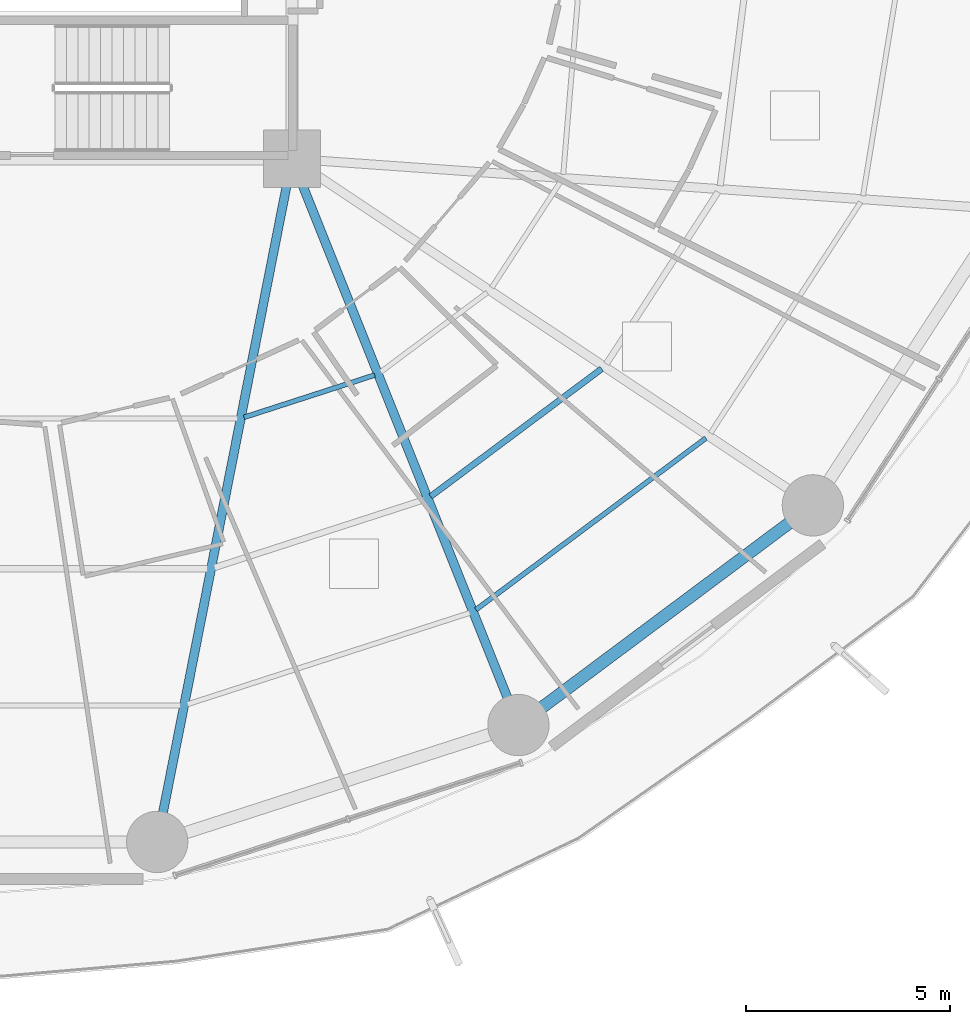
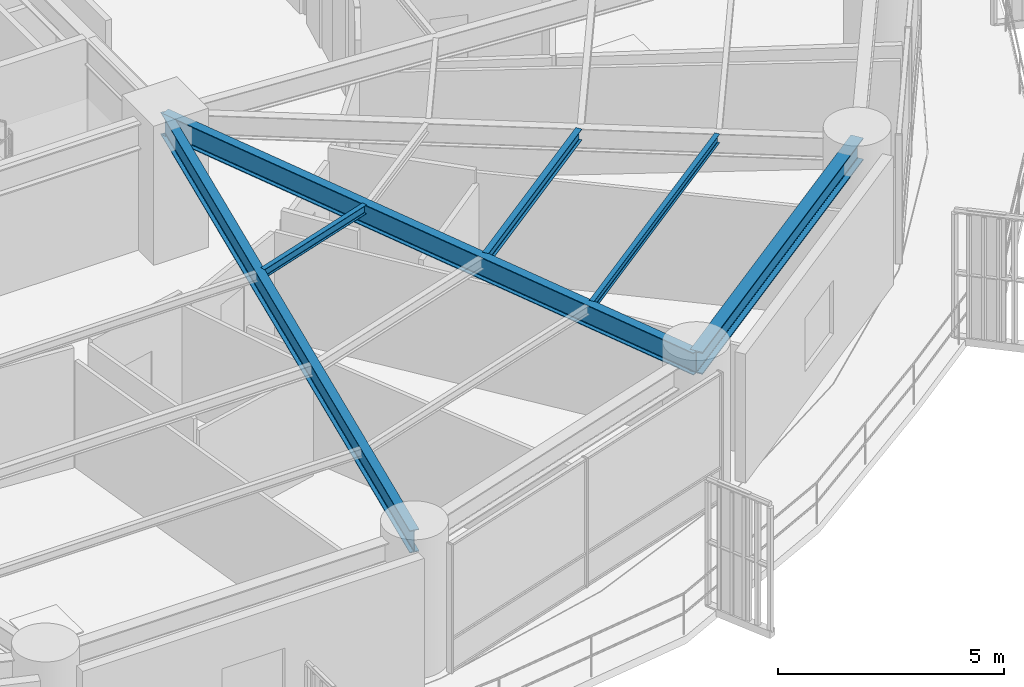
# One storey, part 9 of 32: 6 beams.
"""IFC4 building model written with IfcOpenShell, lengths in metres."""

from ifc_helpers import new_model, si_unit, direction, frame, origin, origin_2d, place, context, subcontext, project, spatial, i_section, extrude, material, material_profile, profile_set, type_object, element, save


model = new_model("IFC4")

# Units and contexts
model_context = context("Model", 3, precision=1e-05, world=origin(), true_north=direction((0.0, 1.0)))
body_context = subcontext(model_context, "Body", "Model", "MODEL_VIEW")
ifc_project = project(units=[si_unit("LENGTHUNIT", "METRE"), si_unit("AREAUNIT", "SQUARE_METRE"), si_unit("VOLUMEUNIT", "CUBIC_METRE"), si_unit("PLANEANGLEUNIT", "RADIAN"), si_unit("MASSUNIT", "GRAM", prefix="KILO")], contexts=[model_context])

# Site, building, storey
site_placement = place(None, origin())
site = spatial("IfcSite", under=ifc_project, at=site_placement, CompositionType="ELEMENT")
building_placement = place(site_placement, origin())
building = spatial("IfcBuilding", under=site, at=building_placement, Name="Kelanora Arch Commons", CompositionType="ELEMENT")
storey_placement = place(building_placement, frame((0.0, 0.0, 56.25)))
storey = spatial("IfcBuildingStorey", under=building, at=storey_placement, Name="L14", CompositionType="ELEMENT", Elevation=56.25)

# Beams
ifc_material = material(Name="Steel S355", Category="steel")
ifc_material_profile_1 = material_profile(ifc_material, i_section(OverallWidth=0.14990234375, OverallDepth=0.300048828125, WebThickness=0.007080078125, FlangeThickness=0.0107421875, FilletRadius=0.014892578125, at=origin_2d()), Name="IPE300")
ifc_profile_set_1 = profile_set([ifc_material_profile_1], Name="Steel S355")
beam_type_1 = type_object("IfcBeamType", Name="BM-JST-01", PredefinedType="JOIST", material=ifc_profile_set_1)
beam_1_placement = place(storey_placement, frame((85.39208984375, 42.738525390625, 3.340087890625), z_axis=(0.801478251559, 0.598023922831, 0.0), x_axis=(-0.598023922831, 0.801478251559, 0.0)))
element("IfcBeam", 1, at=beam_1_placement, inside=storey, type_object=beam_type_1, Name="Secondary Chord Joist BJB-30 L14", PredefinedType="JOIST", context=body_context, shape_type="SweptSolid", body=[
    extrude(i_section(OverallWidth=0.14990234375, OverallDepth=0.300048828125, WebThickness=0.007080078125, FlangeThickness=0.0107421875, FilletRadius=0.014892578125, at=origin_2d()), origin(), (0.0, 0.0, 1.0), 5.223388671875),
])
ifc_material_profile_2 = material_profile(ifc_material, i_section(OverallWidth=0.1201171875, OverallDepth=0.239990234375, WebThickness=0.006103515625, FlangeThickness=0.009765625, FilletRadius=0.014892578125, at=origin_2d()), Name="IPE240")
ifc_profile_set_2 = profile_set([ifc_material_profile_2], Name="Steel S355")
beam_type_2 = type_object("IfcBeamType", Name="BM-JST-02", PredefinedType="JOIST", material=ifc_profile_set_2)
beam_2_placement = place(storey_placement, frame((80.827880859375, 44.6748046875, 3.3701171875), z_axis=(0.951422608074, 0.30788800049, 0.0), x_axis=(-0.30788800049, 0.951422608074, 0.0)))
element("IfcBeam", 2, at=beam_2_placement, inside=storey, type_object=beam_type_2, Name="Secondary Chord Joist BJA-28 L14", PredefinedType="JOIST", context=body_context, shape_type="SweptSolid", body=[
    extrude(i_section(OverallWidth=0.1201171875, OverallDepth=0.239990234375, WebThickness=0.006103515625, FlangeThickness=0.009765625, FilletRadius=0.014892578125, at=origin_2d()), origin(), (0.0, 0.0, 1.0), 3.359619140625),
])
beam_3_placement = place(storey_placement, frame((86.5, 39.9677734375, 3.3701171875), z_axis=(0.80149131963, 0.598006408459, 0.0), x_axis=(-0.598006408459, 0.80149131963, 0.0)))
element("IfcBeam", 3, at=beam_3_placement, inside=storey, type_object=beam_type_2, Name="Secondary Chord Joist BJC-30 L14", PredefinedType="JOIST", context=body_context, shape_type="SweptSolid", body=[
    extrude(i_section(OverallWidth=0.1201171875, OverallDepth=0.239990234375, WebThickness=0.006103515625, FlangeThickness=0.009765625, FilletRadius=0.014892578125, at=origin_2d()), origin(), (0.0, 0.0, 1.0), 7.021240234375),
])
ifc_material_profile_3 = material_profile(ifc_material, i_section(OverallWidth=0.219970703125, OverallDepth=0.60009765625, WebThickness=0.011962890625, FlangeThickness=0.01904296875, FilletRadius=0.02392578125, at=origin_2d()), Name="IPE600")
ifc_profile_set_3 = profile_set([ifc_material_profile_3], Name="Steel S355")
beam_type_3 = type_object("IfcBeamType", Name="BM-RAD-Z1", PredefinedType="BEAM", material=ifc_profile_set_3)
beam_4_placement = place(storey_placement, frame((82.0, 51.0, 3.18994140625), z_axis=(-0.19356352044, -0.981087745084, 0.0), x_axis=(0.981087745084, -0.19356352044, 0.0)))
element("IfcBeam", 4, at=beam_4_placement, inside=storey, type_object=beam_type_3, Name="Radial Floor Girder BR-28 L14", PredefinedType="BEAM", context=body_context, shape_type="SweptSolid", body=[
    extrude(i_section(OverallWidth=0.219970703125, OverallDepth=0.60009765625, WebThickness=0.011962890625, FlangeThickness=0.01904296875, FilletRadius=0.02392578125, at=origin_2d()), origin(), (0.0, 0.0, 1.0), 17.036376953125),
])
beam_5_placement = place(storey_placement, frame((82.0, 51.0, 3.18994140625), z_axis=(0.371300398117, -0.928512797089, 0.0), x_axis=(0.928512797089, 0.371300398117, 0.0)))
element("IfcBeam", 5, at=beam_5_placement, inside=storey, type_object=beam_type_3, Name="Radial Floor Girder BR-30 L14", PredefinedType="BEAM", context=body_context, shape_type="SweptSolid", body=[
    extrude(i_section(OverallWidth=0.219970703125, OverallDepth=0.60009765625, WebThickness=0.011962890625, FlangeThickness=0.01904296875, FilletRadius=0.02392578125, at=origin_2d()), origin(), (0.0, 0.0, 1.0), 14.920654296875),
])
ifc_material_profile_4 = material_profile(ifc_material, i_section(OverallWidth=0.300048828125, OverallDepth=0.60009765625, WebThickness=0.015380859375, FlangeThickness=0.030029296875, FilletRadius=0.027099609375, at=origin_2d()), Name="HEB600")
ifc_profile_set_4 = profile_set([ifc_material_profile_4], Name="Steel S355")
beam_type_4 = type_object("IfcBeamType", Name="BM-SPN-Z1", PredefinedType="SPANDREL", material=ifc_profile_set_4)
beam_6_placement = place(storey_placement, frame((87.5400390625, 37.14599609375, 3.18994140625), z_axis=(0.801467504127, 0.598038326388, 0.0), x_axis=(-0.598038326388, 0.801467504127, 0.0)))
element("IfcBeam", 6, at=beam_6_placement, inside=storey, type_object=beam_type_4, Name="Perimeter Spandrel Beam BS-30 L14", PredefinedType="SPANDREL", context=body_context, shape_type="SweptSolid", body=[
    extrude(i_section(OverallWidth=0.300048828125, OverallDepth=0.60009765625, WebThickness=0.015380859375, FlangeThickness=0.030029296875, FilletRadius=0.027099609375, at=origin_2d()), origin(), (0.0, 0.0, 1.0), 8.989013671875),
])

save(model, "model.ifc")
